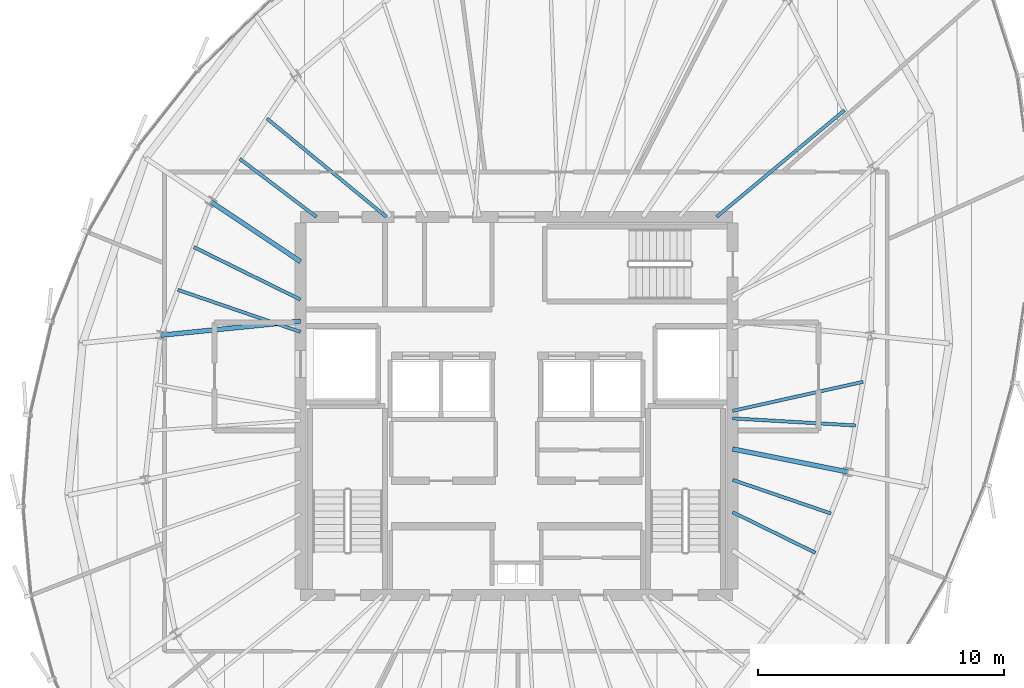
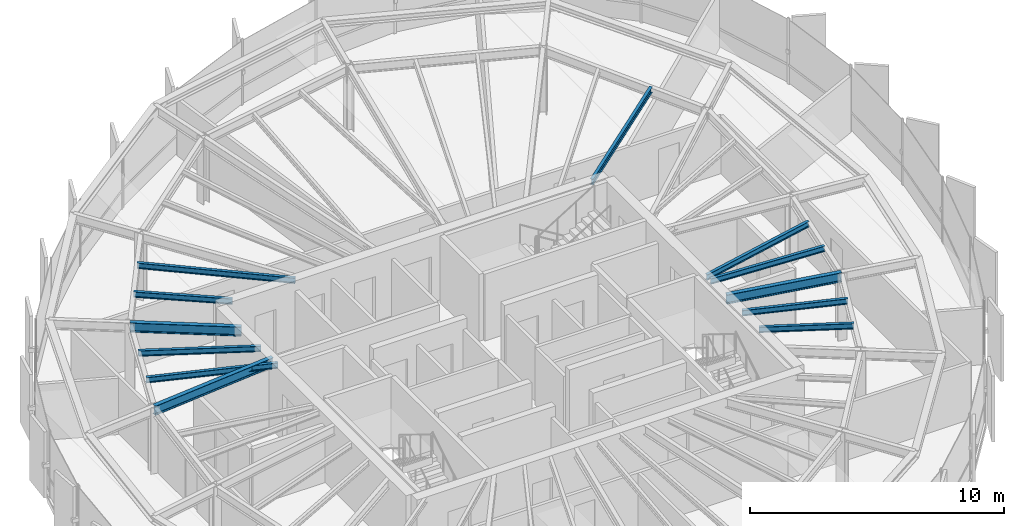
# One storey, part 12 of 34: 12 beams.
"""IFC4 building model written with IfcOpenShell, lengths in metres."""

from ifc_helpers import new_model, si_unit, direction, frame, origin, origin_2d, place, context, subcontext, project, spatial, i_section, extrude, source, transform, mapped, material, material_profile, profile_set, type_object, element, save


model = new_model("IFC4")

# Units and contexts
model_context = context("Model", 3, precision=1e-05, world=origin(), true_north=direction((0.0, 1.0)))
body_context = subcontext(model_context, "Body", "Model", "MODEL_VIEW")
ifc_project = project(units=[si_unit("LENGTHUNIT", "METRE"), si_unit("AREAUNIT", "SQUARE_METRE"), si_unit("VOLUMEUNIT", "CUBIC_METRE"), si_unit("PLANEANGLEUNIT", "RADIAN"), si_unit("MASSUNIT", "GRAM", prefix="KILO"), si_unit("THERMODYNAMICTEMPERATUREUNIT", "KELVIN")], contexts=[model_context])

# Site, building, storey
site_placement = place(None, origin())
site = spatial("IfcSite", under=ifc_project, at=site_placement, CompositionType="ELEMENT")
building_placement = place(site_placement, origin())
building = spatial("IfcBuilding", under=site, at=building_placement, Name="Kethvar Cultural Tower", CompositionType="ELEMENT")
storey_placement = place(building_placement, frame((0.0, 0.0, 259.449951171875)))
storey = spatial("IfcBuildingStorey", under=building, at=storey_placement, Name="L68", CompositionType="ELEMENT", Elevation=259.449951171875)

# Beams
ifc_material = material(Name="Steel S355J2", Category="steel")
ifc_material_profile_1 = material_profile(ifc_material, i_section(OverallWidth=0.18994140625, OverallDepth=0.449951171875, WebThickness=0.009521484375, FlangeThickness=0.0146484375, FilletRadius=0.02099609375, at=origin_2d()), Name="Steel S355J2 — IPE450")
ifc_profile_set_1 = profile_set([ifc_material_profile_1], Name="Steel S355J2 — IPE450")
beam_type_1 = type_object("IfcBeamType", Name="BM-IPE450", PredefinedType="BEAM", material=ifc_profile_set_1)
shared_shape_1 = source(origin(), body_context, "Body", "SweptSolid", [
    extrude(i_section(OverallWidth=0.18994140625, OverallDepth=0.449951171875, WebThickness=0.009521484375, FlangeThickness=0.0146484375, FilletRadius=0.02099609375, at=origin_2d()), origin(), (0.0, 0.0, 1.0), 4.3828125),
])
beam_1_placement = place(storey_placement, frame((38.0, 33.679931640625, 2.983154296875), z_axis=(-0.831449909861, 0.555599718676, 0.0), x_axis=(-0.555599718676, -0.831449909861, 0.0)))
element("IfcBeam", 1, at=beam_1_placement, inside=storey, type_object=beam_type_1, Name="L68 Primary Radial Beam RB-07", PredefinedType="BEAM", context=body_context, shape_type="MappedRepresentation", body=[
    mapped(shared_shape_1, transform((0.0, 0.0, 0.0), scale=1.0)),
])
shared_shape_2 = source(origin(), body_context, "Body", "SweptSolid", [
    extrude(i_section(OverallWidth=0.18994140625, OverallDepth=0.449951171875, WebThickness=0.009521484375, FlangeThickness=0.0146484375, FilletRadius=0.02099609375, at=origin_2d()), origin(), (0.0, 0.0, 1.0), 5.7158203125),
])
beam_2_placement = place(storey_placement, frame((38.0, 31.25, 2.983154296875), z_axis=(-0.995048179628, -0.099393763478, 0.0), x_axis=(0.099393763478, -0.995048179628, 0.0)))
element("IfcBeam", 2, at=beam_2_placement, inside=storey, type_object=beam_type_1, Name="L68 Primary Radial Beam RB-08", PredefinedType="BEAM", context=body_context, shape_type="MappedRepresentation", body=[
    mapped(shared_shape_2, transform((0.0, 0.0, 0.0), scale=1.0)),
])
shared_shape_3 = source(origin(), body_context, "Body", "SweptSolid", [
    extrude(i_section(OverallWidth=0.18994140625, OverallDepth=0.449951171875, WebThickness=0.009521484375, FlangeThickness=0.0146484375, FilletRadius=0.02099609375, at=origin_2d()), origin(), (0.0, 0.0, 1.0), 4.775390625),
])
beam_3_placement = place(storey_placement, frame((55.60009765625, 26.049560546875, 2.983154296875), z_axis=(0.980784643133, -0.195093525761, 0.0), x_axis=(0.195093525761, 0.980784643133, 0.0)))
element("IfcBeam", 3, at=beam_3_placement, inside=storey, type_object=beam_type_1, Name="L68 Primary Radial Beam RB-16", PredefinedType="BEAM", context=body_context, shape_type="MappedRepresentation", body=[
    mapped(shared_shape_3, transform((0.0, 0.0, 0.0), scale=1.0)),
])
ifc_material_profile_2 = material_profile(ifc_material, i_section(OverallWidth=0.135009765625, OverallDepth=0.27001953125, WebThickness=0.006591796875, FlangeThickness=0.01025390625, FilletRadius=0.014892578125, at=origin_2d()), Name="Steel S355J2 — IPE270")
ifc_profile_set_2 = profile_set([ifc_material_profile_2], Name="Steel S355J2 — IPE270")
beam_type_2 = type_object("IfcBeamType", Name="BM-J270", PredefinedType="JOIST", material=ifc_profile_set_2)
shared_shape_4 = source(origin(), body_context, "Body", "SweptSolid", [
    extrude(i_section(OverallWidth=0.135009765625, OverallDepth=0.27001953125, WebThickness=0.006591796875, FlangeThickness=0.01025390625, FilletRadius=0.014892578125, at=origin_2d()), origin(), (0.0, 0.0, 1.0), 6.776123046875),
])
beam_4_placement = place(storey_placement, frame((54.949951171875, 35.5, 3.072998046875), z_axis=(0.767801747857, 0.6406875026, 0.0), x_axis=(-0.6406875026, 0.767801747857, 0.0)))
element("IfcBeam", 4, at=beam_4_placement, inside=storey, type_object=beam_type_2, Name="L68 Composite Floor Joist J-02A", PredefinedType="JOIST", context=body_context, shape_type="MappedRepresentation", body=[
    mapped(shared_shape_4, transform((0.0, 0.0, 0.0), scale=1.0)),
])
shared_shape_5 = source(origin(), body_context, "Body", "SweptSolid", [
    extrude(i_section(OverallWidth=0.135009765625, OverallDepth=0.27001953125, WebThickness=0.006591796875, FlangeThickness=0.01025390625, FilletRadius=0.014892578125, at=origin_2d()), origin(), (0.0, 0.0, 1.0), 6.302978515625),
])
beam_5_placement = place(storey_placement, frame((41.5, 35.5, 3.072998046875), z_axis=(-0.771828477148, 0.635830796567, 0.0), x_axis=(-0.635830796567, -0.771828477148, 0.0)))
element("IfcBeam", 5, at=beam_5_placement, inside=storey, type_object=beam_type_2, Name="L68 Composite Floor Joist J-06A", PredefinedType="JOIST", context=body_context, shape_type="MappedRepresentation", body=[
    mapped(shared_shape_5, transform((0.0, 0.0, 0.0), scale=1.0)),
])
shared_shape_6 = source(origin(), body_context, "Body", "SweptSolid", [
    extrude(i_section(OverallWidth=0.135009765625, OverallDepth=0.27001953125, WebThickness=0.006591796875, FlangeThickness=0.01025390625, FilletRadius=0.014892578125, at=origin_2d()), origin(), (0.0, 0.0, 1.0), 3.91357421875),
])
beam_6_placement = place(storey_placement, frame((38.64990234375, 35.5, 3.072998046875), z_axis=(-0.797214062325, 0.603696727531, 0.0), x_axis=(-0.603696727531, -0.797214062325, 0.0)))
element("IfcBeam", 6, at=beam_6_placement, inside=storey, type_object=beam_type_2, Name="L68 Composite Floor Joist J-06B", PredefinedType="JOIST", context=body_context, shape_type="MappedRepresentation", body=[
    mapped(shared_shape_6, transform((0.0, 0.0, 0.0), scale=1.0)),
])
shared_shape_7 = source(origin(), body_context, "Body", "SweptSolid", [
    extrude(i_section(OverallWidth=0.135009765625, OverallDepth=0.27001953125, WebThickness=0.006591796875, FlangeThickness=0.01025390625, FilletRadius=0.014892578125, at=origin_2d()), origin(), (0.0, 0.0, 1.0), 4.8359375),
])
beam_7_placement = place(storey_placement, frame((38.0, 32.1318359375, 3.072998046875), z_axis=(-0.897196527088, 0.441631511308, 0.0), x_axis=(-0.441631511308, -0.897196527088, 0.0)))
element("IfcBeam", 7, at=beam_7_placement, inside=storey, type_object=beam_type_2, Name="L68 Composite Floor Joist J-07A", PredefinedType="JOIST", context=body_context, shape_type="MappedRepresentation", body=[
    mapped(shared_shape_7, transform((0.0, 0.0, 0.0), scale=1.0)),
])
shared_shape_8 = source(origin(), body_context, "Body", "SweptSolid", [
    extrude(i_section(OverallWidth=0.135009765625, OverallDepth=0.27001953125, WebThickness=0.006591796875, FlangeThickness=0.01025390625, FilletRadius=0.014892578125, at=origin_2d()), origin(), (0.0, 0.0, 1.0), 5.2783203125),
])
beam_8_placement = place(storey_placement, frame((38.0, 30.817138671875, 3.072998046875), z_axis=(-0.945942702368, 0.324333784607, 0.0), x_axis=(-0.324333784607, -0.945942702368, 0.0)))
element("IfcBeam", 8, at=beam_8_placement, inside=storey, type_object=beam_type_2, Name="L68 Composite Floor Joist J-07B", PredefinedType="JOIST", context=body_context, shape_type="MappedRepresentation", body=[
    mapped(shared_shape_8, transform((0.0, 0.0, 0.0), scale=1.0)),
])
shared_shape_9 = source(origin(), body_context, "Body", "SweptSolid", [
    extrude(i_section(OverallWidth=0.135009765625, OverallDepth=0.27001953125, WebThickness=0.006591796875, FlangeThickness=0.01025390625, FilletRadius=0.014892578125, at=origin_2d()), origin(), (0.0, 0.0, 1.0), 3.75),
])
beam_9_placement = place(storey_placement, frame((55.60009765625, 23.476318359375, 3.072998046875), z_axis=(0.8975046019, -0.441005090184, 0.0), x_axis=(0.441005090184, 0.8975046019, 0.0)))
element("IfcBeam", 9, at=beam_9_placement, inside=storey, type_object=beam_type_2, Name="L68 Composite Floor Joist J-15A", PredefinedType="JOIST", context=body_context, shape_type="MappedRepresentation", body=[
    mapped(shared_shape_9, transform((0.0, 0.0, 0.0), scale=1.0)),
])
shared_shape_10 = source(origin(), body_context, "Body", "SweptSolid", [
    extrude(i_section(OverallWidth=0.135009765625, OverallDepth=0.27001953125, WebThickness=0.006591796875, FlangeThickness=0.01025390625, FilletRadius=0.014892578125, at=origin_2d()), origin(), (0.0, 0.0, 1.0), 4.232421875),
])
beam_10_placement = place(storey_placement, frame((55.60009765625, 24.7900390625, 3.072998046875), z_axis=(0.946173747357, -0.323659141402, 0.0), x_axis=(0.323659141402, 0.946173747357, 0.0)))
element("IfcBeam", 10, at=beam_10_placement, inside=storey, type_object=beam_type_2, Name="L68 Composite Floor Joist J-15B", PredefinedType="JOIST", context=body_context, shape_type="MappedRepresentation", body=[
    mapped(shared_shape_10, transform((0.0, 0.0, 0.0), scale=1.0)),
])
shared_shape_11 = source(origin(), body_context, "Body", "SweptSolid", [
    extrude(i_section(OverallWidth=0.135009765625, OverallDepth=0.27001953125, WebThickness=0.006591796875, FlangeThickness=0.01025390625, FilletRadius=0.014892578125, at=origin_2d()), origin(), (0.0, 0.0, 1.0), 5.01611328125),
])
beam_11_placement = place(storey_placement, frame((55.60009765625, 27.294189453125, 3.072998046875), z_axis=(0.998352190078, -0.057383835418, 0.0), x_axis=(0.057383835418, 0.998352190078, 0.0)))
element("IfcBeam", 11, at=beam_11_placement, inside=storey, type_object=beam_type_2, Name="L68 Composite Floor Joist J-16A", PredefinedType="JOIST", context=body_context, shape_type="MappedRepresentation", body=[
    mapped(shared_shape_11, transform((0.0, 0.0, 0.0), scale=1.0)),
])
shared_shape_12 = source(origin(), body_context, "Body", "SweptSolid", [
    extrude(i_section(OverallWidth=0.135009765625, OverallDepth=0.27001953125, WebThickness=0.006591796875, FlangeThickness=0.01025390625, FilletRadius=0.014892578125, at=origin_2d()), origin(), (0.0, 0.0, 1.0), 5.44287109375),
])
beam_12_placement = place(storey_placement, frame((55.60009765625, 27.60009765625, 3.072998046875), z_axis=(0.976080346759, 0.217410111702, 0.0), x_axis=(-0.217410111702, 0.976080346759, 0.0)))
element("IfcBeam", 12, at=beam_12_placement, inside=storey, type_object=beam_type_2, Name="L68 Composite Floor Joist J-16B", PredefinedType="JOIST", context=body_context, shape_type="MappedRepresentation", body=[
    mapped(shared_shape_12, transform((0.0, 0.0, 0.0), scale=1.0)),
])

save(model, "model.ifc")
